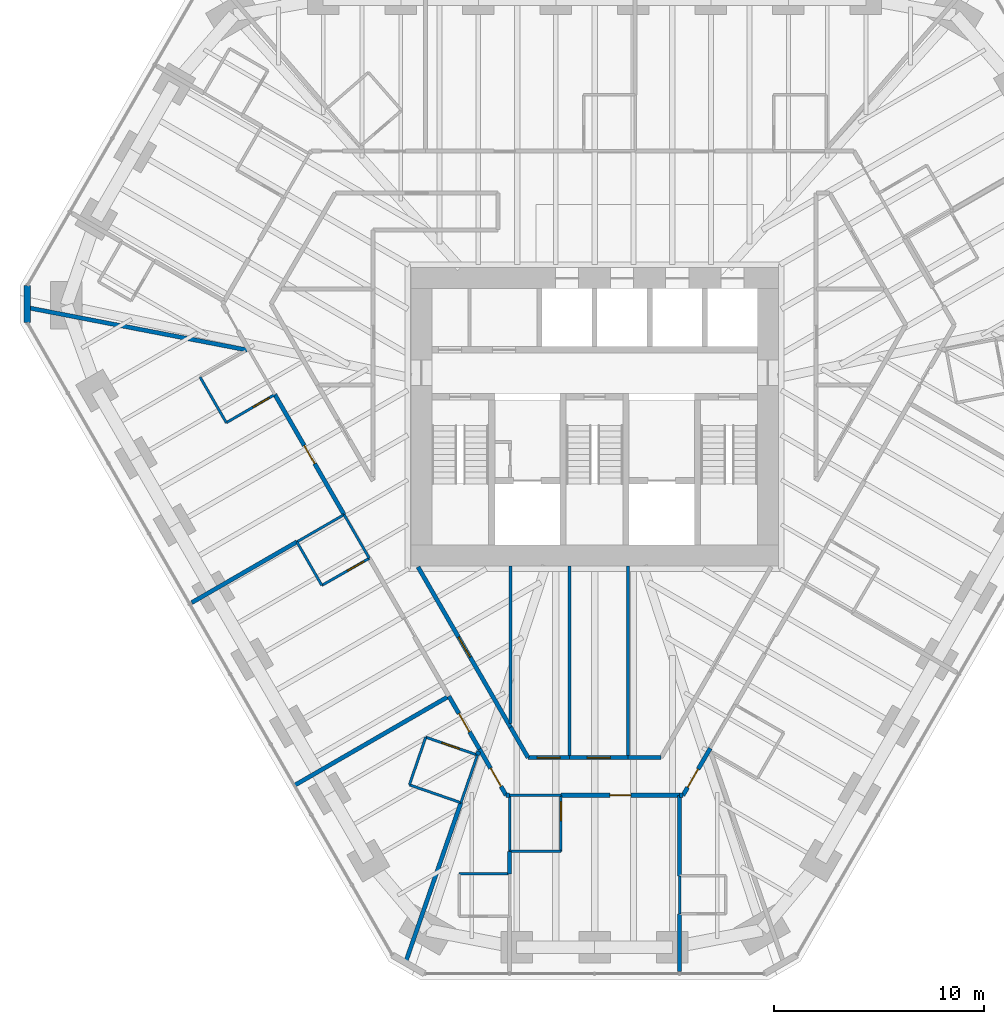
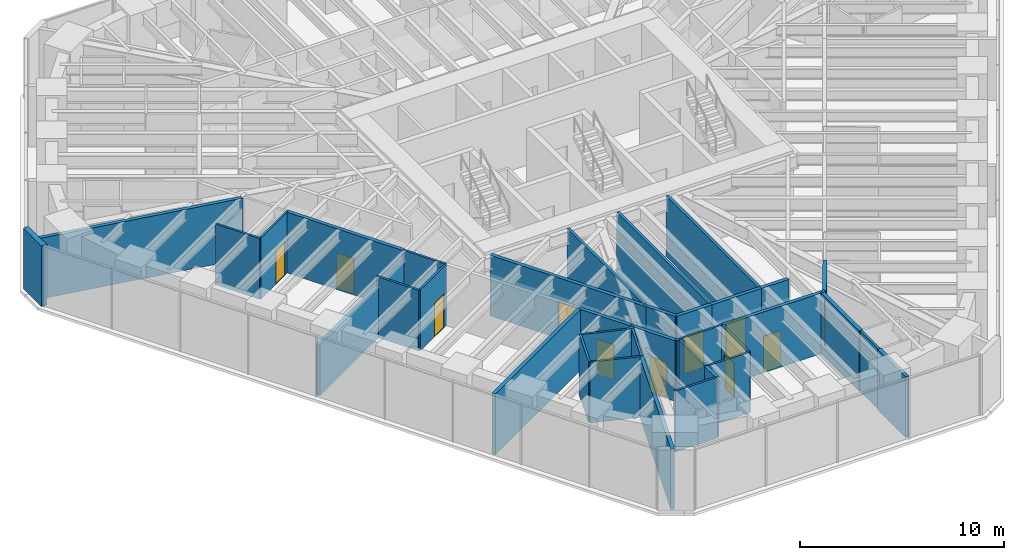
# One storey, part 11 of 16: 40 walls, 12 doors, 12 openings.
"""IFC4 building model written with IfcOpenShell, lengths in metres."""

from ifc_helpers import new_model, si_unit, direction, frame, frame_2d, origin, place, context, subcontext, project, spatial, rectangle, extrude, material, layer, layer_set, type_object, element, fill, save


model = new_model("IFC4")

# Units and contexts
model_context = context("Model", 3, precision=1e-05, world=origin(), true_north=direction((0.0, 1.0)))
body_context = subcontext(model_context, "Body", "Model", "MODEL_VIEW")
ifc_project = project(units=[si_unit("LENGTHUNIT", "METRE"), si_unit("AREAUNIT", "SQUARE_METRE"), si_unit("VOLUMEUNIT", "CUBIC_METRE"), si_unit("PLANEANGLEUNIT", "RADIAN"), si_unit("MASSUNIT", "GRAM", prefix="KILO")], contexts=[model_context])

# Site, building, storey
site_placement = place(None, origin())
site = spatial("IfcSite", under=ifc_project, at=site_placement, CompositionType="ELEMENT")
building_placement = place(site_placement, origin())
building = spatial("IfcBuilding", under=site, at=building_placement, Name="Sandreach Pilgrim Tower", CompositionType="ELEMENT")
storey_placement = place(building_placement, frame((0.0, 0.0, 206.0)))
storey = spatial("IfcBuildingStorey", under=building, at=storey_placement, Name="L51", CompositionType="ELEMENT", Elevation=206.0)

# Walls
ifc_material_1 = material(Name="Gypsum board on steel studs", Category="steel")
ifc_layer_1 = layer(ifc_material_1, 0.14990234375)
ifc_layer_set_1 = layer_set([ifc_layer_1], Name="Back of house wall 150")
wall_type_1 = type_object("IfcWallType", Name="Back of house wall 150", PredefinedType="PARTITIONING", material=ifc_layer_set_1)
wall_1_placement = place(storey_placement, frame((-4.0, -7.10009765625, 0.0), z_axis=(0.0, 0.0, 1.0), x_axis=(0.0, -1.0, 0.0)))
element("IfcWall", 1, at=wall_1_placement, inside=storey, type_object=wall_type_1, Name="Back of house wall L51-074", PredefinedType="PARTITIONING", context=body_context, shape_type="SweptSolid", body=[
    extrude(rectangle(XDim=7.514892578125, YDim=0.14990234375, at=frame_2d((3.75732421875, 0.0))), origin(), (0.0, 0.0, 1.0), 3.639892578125),
])
for number, where, z_axis, x_axis, name in (
    (2, (-1.199951171875, -7.10009765625, 0.0), (0.0, 0.0, 1.0), (0.0, -1.0, 0.0), "Back of house wall L51-079"),
    (3, (1.60009765625, -7.10009765625, 0.0), (0.0, 0.0, 1.0), (0.0, -1.0, 0.0), "Back of house wall L51-083"),
):
    element("IfcWall", number, at=place(storey_placement, frame(where, z_axis=z_axis, x_axis=x_axis)), inside=storey, type_object=wall_type_1, Name=name, PredefinedType="PARTITIONING", context=body_context, shape_type="SweptSolid", body=[
        extrude(rectangle(XDim=9.1298828125, YDim=0.14990234375, at=frame_2d((4.56494140625, 0.0))), origin(), (0.0, 0.0, 1.0), 3.639892578125),
    ])
ifc_material_2 = material(Name="Moisture-resistant gypsum board on steel studs", Category="steel")
ifc_layer_2 = layer(ifc_material_2, 0.1201171875)
ifc_layer_set_2 = layer_set([ifc_layer_2], Name="Bathroom partition 120")
wall_type_2 = type_object("IfcWallType", Name="Bathroom partition 120", PredefinedType="PARTITIONING", material=ifc_layer_set_2)
wall_2_placement = place(storey_placement, frame((-18.7900390625, 1.889892578125, 0.0), z_axis=(0.0, 0.0, 1.0), x_axis=(0.499159685399, -0.866510016372, 0.0)))
element("IfcWall", 4, at=wall_2_placement, inside=storey, type_object=wall_type_2, Name="Bathroom partition L51-010", PredefinedType="PARTITIONING", context=body_context, shape_type="SweptSolid", body=[
    extrude(rectangle(XDim=2.504150390625, YDim=0.1201171875, at=frame_2d((1.251953125, 0.0))), origin(), (0.0, 0.0, 1.0), 3.639892578125),
])

# Wall, opening, door
wall_3_placement = place(storey_placement, frame((-17.5400390625, -0.280029296875, 0.0), z_axis=(0.0, 0.0, 1.0), x_axis=(0.86498992408, 0.501789229896, 0.0)))
wall_3 = element("IfcWall", 5, at=wall_3_placement, inside=storey, type_object=wall_type_2, Name="Bathroom partition L51-015", PredefinedType="PARTITIONING", context=body_context, shape_type="SweptSolid", body=[
    extrude(rectangle(XDim=2.670654296875, YDim=0.1201171875, at=frame_2d((1.33544921875, 0.0))), origin(), (0.0, 0.0, 1.0), 3.639892578125),
])
opening_1_placement = place(wall_3_placement, frame((1.470458984375, 0.0, 0.0)))
opening_1 = element("IfcOpeningElement", 6, at=opening_1_placement, cuts=wall_3, Name="Opening D09-14B", PredefinedType="OPENING", context=body_context, shape_type="SweptSolid", body=[
    extrude(rectangle(XDim=0.89990234375, YDim=2.030029296875, at=frame_2d((0.449951171875, 1.01513671875))), frame((0.0, 0.06005859375, 0.0), z_axis=(0.0, -1.0, 0.0), x_axis=(1.0, 0.0, 0.0)), (0.0, 0.0, 1.0), 0.1201171875),
])
ifc_material_3 = material(Name="Timber door, steel frame", Category="steel")
door_type_1 = type_object("IfcDoorType", Name="Bathroom door", OperationType="SINGLE_SWING_LEFT", PredefinedType="DOOR", material=ifc_material_3)
door_1_placement = place(opening_1_placement, origin())
door_1 = element("IfcDoor", 7, at=door_1_placement, inside=storey, type_object=door_type_1, Name="Door 5114B", OperationType="SINGLE_SWING_RIGHT", OverallHeight=2.030029296875, OverallWidth=0.89990234375, PredefinedType="DOOR", context=body_context, shape_type="SweptSolid", body=[
    extrude(rectangle(XDim=0.89990234375, YDim=2.030029296875, at=frame_2d((0.449951171875, 1.01513671875))), frame((0.0, 0.02490234375, 0.0), z_axis=(0.0, -1.0, 0.0), x_axis=(1.0, 0.0, 0.0)), (0.0, 0.0, 1.0), 0.050048828125),
])
fill(opening_1, door_1)

# Walls
wall_4_placement = place(storey_placement, frame((-14.179931640625, -5.9599609375, 0.0), z_axis=(0.0, 0.0, 1.0), x_axis=(0.49836161924, -0.866969259241, 0.0)))
element("IfcWall", 8, at=wall_4_placement, inside=storey, type_object=wall_type_2, Name="Bathroom partition L51-032", PredefinedType="PARTITIONING", context=body_context, shape_type="SweptSolid", body=[
    extrude(rectangle(XDim=2.3876953125, YDim=0.1201171875, at=frame_2d((1.19384765625, 0.0))), origin(), (0.0, 0.0, 1.0), 3.639892578125),
])
wall_5_placement = place(storey_placement, frame((-14.179931640625, -5.9599609375, 0.0), z_axis=(0.0, 0.0, 1.0), x_axis=(0.865856933682, 0.500291685314, 0.0)))
element("IfcWall", 9, at=wall_5_placement, inside=storey, type_object=wall_type_2, Name="Bathroom partition L51-033", PredefinedType="PARTITIONING", context=body_context, shape_type="SweptSolid", body=[
    extrude(rectangle(XDim=2.5986328125, YDim=0.1201171875, at=frame_2d((1.29931640625, 0.0))), origin(), (0.0, 0.0, 1.0), 3.0380859375),
])

# Wall, opening, door
wall_6_placement = place(storey_placement, frame((-12.989990234375, -8.030029296875, 0.0), z_axis=(0.0, 0.0, 1.0), x_axis=(0.868473984885, 0.49573474518, 0.0)))
wall_6 = element("IfcWall", 10, at=wall_6_placement, inside=storey, type_object=wall_type_2, Name="Bathroom partition L51-036", PredefinedType="PARTITIONING", context=body_context, shape_type="SweptSolid", body=[
    extrude(rectangle(XDim=2.602294921875, YDim=0.1201171875, at=frame_2d((1.30126953125, 0.0))), origin(), (0.0, 0.0, 1.0), 3.639892578125),
])
opening_2_placement = place(wall_6_placement, frame((1.402099609375, 0.0, 0.0)))
opening_2 = element("IfcOpeningElement", 11, at=opening_2_placement, cuts=wall_6, Name="Opening D09-13B", PredefinedType="OPENING", context=body_context, shape_type="SweptSolid", body=[
    extrude(rectangle(XDim=0.89990234375, YDim=2.030029296875, at=frame_2d((0.449951171875, 1.01513671875))), frame((0.0, 0.06005859375, 0.0), z_axis=(0.0, -1.0, 0.0), x_axis=(1.0, 0.0, 0.0)), (0.0, 0.0, 1.0), 0.1201171875),
])
door_2_placement = place(opening_2_placement, origin())
door_2 = element("IfcDoor", 12, at=door_2_placement, inside=storey, type_object=door_type_1, Name="Door 5113B", OperationType="SINGLE_SWING_RIGHT", OverallHeight=2.030029296875, OverallWidth=0.89990234375, PredefinedType="DOOR", context=body_context, shape_type="SweptSolid", body=[
    extrude(rectangle(XDim=0.89990234375, YDim=2.030029296875, at=frame_2d((0.449951171875, 1.01513671875))), frame((0.0, 0.02490234375, 0.0), z_axis=(0.0, -1.0, 0.0), x_axis=(1.0, 0.0, 0.0)), (0.0, 0.0, 1.0), 0.050048828125),
])
fill(opening_2, door_2)

# Walls
wall_7_placement = place(storey_placement, frame((-11.929931640625, -4.659912109375, 0.0), z_axis=(0.0, 0.0, 1.0), x_axis=(0.499693115345, -0.866202511239, 0.0)))
element("IfcWall", 13, at=wall_7_placement, inside=storey, type_object=wall_type_2, Name="Bathroom partition L51-039", PredefinedType="PARTITIONING", context=body_context, shape_type="SweptSolid", body=[
    extrude(rectangle(XDim=2.4013671875, YDim=0.1201171875, at=frame_2d((1.20068359375, 0.0))), origin(), (0.0, 0.0, 1.0), 3.639892578125),
])
wall_8_placement = place(storey_placement, frame((-8.820068359375, -17.530029296875, 0.0), z_axis=(0.0, 0.0, 1.0), x_axis=(0.944753042377, -0.327782990589, 0.0)))
element("IfcWall", 14, at=wall_8_placement, inside=storey, type_object=wall_type_2, Name="Bathroom partition L51-052", PredefinedType="PARTITIONING", context=body_context, shape_type="SweptSolid", body=[
    extrude(rectangle(XDim=2.593505859375, YDim=0.1201171875, at=frame_2d((1.296875, 0.0))), origin(), (0.0, 0.0, 1.0), 3.639892578125),
])
wall_9_placement = place(storey_placement, frame((-8.0400390625, -15.260009765625, 0.0), z_axis=(0.0, 0.0, 1.0), x_axis=(-0.324971746724, -0.945723724896, 0.0)))
element("IfcWall", 15, at=wall_9_placement, inside=storey, type_object=wall_type_2, Name="Bathroom partition L51-055", PredefinedType="PARTITIONING", context=body_context, shape_type="SweptSolid", body=[
    extrude(rectangle(XDim=2.400390625, YDim=0.1201171875, at=frame_2d((1.2001953125, 0.0))), origin(), (0.0, 0.0, 1.0), 3.639892578125),
])
wall_10_placement = place(storey_placement, frame((-6.36474609375, -18.3818359375, 0.0), z_axis=(0.0, 0.0, 1.0), x_axis=(0.327571022417, 0.944826558302, 0.0)))
element("IfcWall", 16, at=wall_10_placement, inside=storey, type_object=wall_type_2, Name="Bathroom partition L51-059", PredefinedType="PARTITIONING", context=body_context, shape_type="SweptSolid", body=[
    extrude(rectangle(XDim=2.403564453125, YDim=0.1201171875, at=frame_2d((1.20166015625, 0.0))), origin(), (0.0, 0.0, 1.0), 3.639892578125),
])

# Wall, opening, door
wall_11_placement = place(storey_placement, frame((-5.580078125, -16.110107421875, 0.0), z_axis=(0.0, 0.0, 1.0), x_axis=(-0.94515546045, 0.326620813149, 0.0)))
wall_11 = element("IfcWall", 17, at=wall_11_placement, inside=storey, type_object=wall_type_2, Name="Bathroom partition L51-060", PredefinedType="PARTITIONING", context=body_context, shape_type="SweptSolid", body=[
    extrude(rectangle(XDim=2.602783203125, YDim=0.1201171875, at=frame_2d((1.30126953125, 0.0))), origin(), (0.0, 0.0, 1.0), 3.639892578125),
])
opening_3_placement = place(wall_11_placement, frame((0.89990234375, 0.0, 0.0)))
opening_3 = element("IfcOpeningElement", 18, at=opening_3_placement, cuts=wall_11, Name="Opening D09-12B", PredefinedType="OPENING", context=body_context, shape_type="SweptSolid", body=[
    extrude(rectangle(XDim=0.89990234375, YDim=2.030029296875, at=frame_2d((0.449951171875, 1.01513671875))), frame((0.0, 0.06005859375, 0.0), z_axis=(0.0, -1.0, 0.0), x_axis=(1.0, 0.0, 0.0)), (0.0, 0.0, 1.0), 0.1201171875),
])
door_3_placement = place(opening_3_placement, origin())
door_3 = element("IfcDoor", 19, at=door_3_placement, inside=storey, type_object=door_type_1, Name="Door 5112B", OperationType="SINGLE_SWING_RIGHT", OverallHeight=2.030029296875, OverallWidth=0.89990234375, PredefinedType="DOOR", context=body_context, shape_type="SweptSolid", body=[
    extrude(rectangle(XDim=0.89990234375, YDim=2.030029296875, at=frame_2d((0.449951171875, 1.01513671875))), frame((0.0, 0.02490234375, 0.0), z_axis=(0.0, -1.0, 0.0), x_axis=(1.0, 0.0, 0.0)), (0.0, 0.0, 1.0), 0.050048828125),
])
fill(opening_3, door_3)

# Walls
wall_12_placement = place(storey_placement, frame((-4.050048828125, -21.77001953125, 0.0), z_axis=(0.0, 0.0, 1.0), x_axis=(-1.0, 0.0, 0.0)))
element("IfcWall", 20, at=wall_12_placement, inside=storey, type_object=wall_type_2, Name="Bathroom partition L51-068", PredefinedType="PARTITIONING", context=body_context, shape_type="SweptSolid", body=[
    extrude(rectangle(XDim=2.39990234375, YDim=0.1201171875, at=frame_2d((1.199951171875, 0.0))), origin(), (0.0, 0.0, 1.0), 3.639892578125),
])
wall_13_placement = place(storey_placement, frame((-4.050048828125, -20.699951171875, 0.0), z_axis=(0.0, 0.0, 1.0), x_axis=(0.0, 1.0, 0.0)))
element("IfcWall", 21, at=wall_13_placement, inside=storey, type_object=wall_type_2, Name="Bathroom partition L51-070", PredefinedType="PARTITIONING", context=body_context, shape_type="SweptSolid", body=[
    extrude(rectangle(XDim=2.669921875, YDim=0.1201171875, at=frame_2d((1.3349609375, 0.0))), origin(), (0.0, 0.0, 1.0), 3.639892578125),
])
for number, where, z_axis, x_axis, name in (
    (22, (-4.050048828125, -20.699951171875, 0.0), (0.0, 0.0, 1.0), (1.0, 0.0, 0.0), "Bathroom partition L51-071"),
    (23, (-4.050048828125, -18.030029296875, 0.0), (0.0, 0.0, 1.0), (1.0, 0.0, 0.0), "Bathroom partition L51-072"),
):
    element("IfcWall", number, at=place(storey_placement, frame(where, z_axis=z_axis, x_axis=x_axis)), inside=storey, type_object=wall_type_2, Name=name, PredefinedType="PARTITIONING", context=body_context, shape_type="SweptSolid", body=[
        extrude(rectangle(XDim=2.449951171875, YDim=0.1201171875, at=frame_2d((1.22509765625, 0.0))), origin(), (0.0, 0.0, 1.0), 3.639892578125),
    ])

# Wall, opening, door
wall_14_placement = place(storey_placement, frame((-1.60009765625, -20.699951171875, 0.0), z_axis=(0.0, 0.0, 1.0), x_axis=(0.0, 1.0, 0.0)))
wall_14 = element("IfcWall", 24, at=wall_14_placement, inside=storey, type_object=wall_type_2, Name="Bathroom partition L51-076", PredefinedType="PARTITIONING", context=body_context, shape_type="SweptSolid", body=[
    extrude(rectangle(XDim=2.669921875, YDim=0.1201171875, at=frame_2d((1.3349609375, 0.0))), origin(), (0.0, 0.0, 1.0), 3.639892578125),
])
opening_4_placement = place(wall_14_placement, frame((1.469970703125, 0.0, 0.0)))
opening_4 = element("IfcOpeningElement", 25, at=opening_4_placement, cuts=wall_14, Name="Opening D09-10B", PredefinedType="OPENING", context=body_context, shape_type="SweptSolid", body=[
    extrude(rectangle(XDim=0.89990234375, YDim=2.030029296875, at=frame_2d((0.449951171875, 1.01513671875))), frame((0.0, 0.06005859375, 0.0), z_axis=(0.0, -1.0, 0.0), x_axis=(1.0, 0.0, 0.0)), (0.0, 0.0, 1.0), 0.1201171875),
])
door_4_placement = place(opening_4_placement, origin())
door_4 = element("IfcDoor", 26, at=door_4_placement, inside=storey, type_object=door_type_1, Name="Door 5110B", OperationType="SINGLE_SWING_RIGHT", OverallHeight=2.030029296875, OverallWidth=0.89990234375, PredefinedType="DOOR", context=body_context, shape_type="SweptSolid", body=[
    extrude(rectangle(XDim=0.89990234375, YDim=2.030029296875, at=frame_2d((0.449951171875, 1.01513671875))), frame((0.0, 0.02490234375, 0.0), z_axis=(0.0, -1.0, 0.0), x_axis=(1.0, 0.0, 0.0)), (0.0, 0.0, 1.0), 0.050048828125),
])
fill(opening_4, door_4)

# Wall
wall_15_placement = place(storey_placement, frame((4.050048828125, -23.679931640625, 0.0), z_axis=(0.0, 0.0, 1.0), x_axis=(0.0, 1.0, 0.0)))
element("IfcWall", 27, at=wall_15_placement, inside=storey, type_object=wall_type_2, Name="Bathroom partition L51-090", PredefinedType="PARTITIONING", context=body_context, shape_type="SweptSolid", body=[
    extrude(rectangle(XDim=1.809814453125, YDim=0.1201171875, at=frame_2d((0.90478515625, 0.0))), origin(), (0.0, 0.0, 1.0), 3.639892578125),
])

# Wall, opening, door
ifc_material_4 = material(Name="Gypsum board on steel studs, two layers each side", Category="steel")
ifc_layer_3 = layer(ifc_material_4, 0.199951171875)
ifc_layer_set_3 = layer_set([ifc_layer_3], Name="Corridor wall 200")
wall_type_3 = type_object("IfcWallType", Name="Corridor wall 200", PredefinedType="PARTITIONING", material=ifc_layer_set_3)
wall_16_placement = place(storey_placement, frame((-15.22998046875, 1.06005859375, 0.0), z_axis=(0.0, 0.0, 1.0), x_axis=(0.499729921425, -0.866181277581, 0.0)))
wall_16 = element("IfcWall", 28, at=wall_16_placement, inside=storey, type_object=wall_type_3, Name="Corridor wall L51-027", PredefinedType="PARTITIONING", context=body_context, shape_type="SweptSolid", body=[
    extrude(rectangle(XDim=6.603759765625, YDim=0.199951171875, at=frame_2d((3.3017578125, 0.0))), origin(), (0.0, 0.0, 1.0), 3.639892578125),
])
opening_5_placement = place(wall_16_placement, frame((2.8017578125, 0.0, 0.0)))
opening_5 = element("IfcOpeningElement", 29, at=opening_5_placement, cuts=wall_16, Name="Opening D10-14", PredefinedType="OPENING", context=body_context, shape_type="SweptSolid", body=[
    extrude(rectangle(XDim=1.0, YDim=2.1298828125, at=frame_2d((0.5, 1.06494140625))), frame((0.0, 0.10009765625, 0.0), z_axis=(0.0, -1.0, 0.0), x_axis=(1.0, 0.0, 0.0)), (0.0, 0.0, 1.0), 0.199951171875),
])
ifc_material_5 = material(Name="Steel door and frame", Category="steel")
door_type_2 = type_object("IfcDoorType", Name="Guest room entry door", OperationType="SINGLE_SWING_LEFT", PredefinedType="DOOR", material=ifc_material_5)
door_5_placement = place(opening_5_placement, origin())
door_5 = element("IfcDoor", 30, at=door_5_placement, inside=storey, type_object=door_type_2, Name="Door 5114", OperationType="SINGLE_SWING_LEFT", OverallHeight=2.1298828125, OverallWidth=1.0, PredefinedType="DOOR", context=body_context, shape_type="SweptSolid", body=[
    extrude(rectangle(XDim=1.0, YDim=2.1298828125, at=frame_2d((0.5, 1.06494140625))), frame((0.0, 0.02490234375, 0.0), z_axis=(0.0, -1.0, 0.0), x_axis=(1.0, 0.0, 0.0)), (0.0, 0.0, 1.0), 0.050048828125),
])
fill(opening_5, door_5)

wall_17_placement = place(storey_placement, frame((-6.93994140625, -13.31005859375, 0.0), z_axis=(0.0, 0.0, 1.0), x_axis=(0.501293994647, -0.865277025542, 0.0)))
wall_17 = element("IfcWall", 31, at=wall_17_placement, inside=storey, type_object=wall_type_3, Name="Corridor wall L51-056", PredefinedType="PARTITIONING", context=body_context, shape_type="SweptSolid", body=[
    extrude(rectangle(XDim=2.912353515625, YDim=0.199951171875, at=frame_2d((1.4560546875, 0.0))), origin(), (0.0, 0.0, 1.0), 3.639892578125),
])
opening_6_placement = place(wall_17_placement, frame((0.956298828125, 0.0, 0.0)))
opening_6 = element("IfcOpeningElement", 32, at=opening_6_placement, cuts=wall_17, Name="Opening D10-12", PredefinedType="OPENING", context=body_context, shape_type="SweptSolid", body=[
    extrude(rectangle(XDim=1.0, YDim=2.1298828125, at=frame_2d((0.5, 1.06494140625))), frame((0.0, 0.10009765625, 0.0), z_axis=(0.0, -1.0, 0.0), x_axis=(1.0, 0.0, 0.0)), (0.0, 0.0, 1.0), 0.199951171875),
])
door_6_placement = place(opening_6_placement, origin())
door_6 = element("IfcDoor", 33, at=door_6_placement, inside=storey, type_object=door_type_2, Name="Door 5112", OperationType="SINGLE_SWING_LEFT", OverallHeight=2.1298828125, OverallWidth=1.0, PredefinedType="DOOR", context=body_context, shape_type="SweptSolid", body=[
    extrude(rectangle(XDim=1.0, YDim=2.1298828125, at=frame_2d((0.5, 1.06494140625))), frame((0.0, 0.02490234375, 0.0), z_axis=(0.0, -1.0, 0.0), x_axis=(1.0, 0.0, 0.0)), (0.0, 0.0, 1.0), 0.050048828125),
])
fill(opening_6, door_6)

wall_18_placement = place(storey_placement, frame((-5.47998046875, -15.830078125, 0.0), z_axis=(0.0, 0.0, 1.0), x_axis=(0.499963722229, -0.866046347752, 0.0)))
wall_18 = element("IfcWall", 34, at=wall_18_placement, inside=storey, type_object=wall_type_3, Name="Corridor wall L51-062", PredefinedType="PARTITIONING", context=body_context, shape_type="SweptSolid", body=[
    extrude(rectangle(XDim=2.540283203125, YDim=0.199951171875, at=frame_2d((1.27001953125, 0.0))), origin(), (0.0, 0.0, 1.0), 3.639892578125),
])
opening_7_placement = place(wall_18_placement, frame((1.050048828125, 0.0, 0.0)))
opening_7 = element("IfcOpeningElement", 35, at=opening_7_placement, cuts=wall_18, Name="Opening D10-11", PredefinedType="OPENING", context=body_context, shape_type="SweptSolid", body=[
    extrude(rectangle(XDim=1.0, YDim=2.1298828125, at=frame_2d((0.5, 1.06494140625))), frame((0.0, 0.10009765625, 0.0), z_axis=(0.0, -1.0, 0.0), x_axis=(1.0, 0.0, 0.0)), (0.0, 0.0, 1.0), 0.199951171875),
])
door_7_placement = place(opening_7_placement, origin())
door_7 = element("IfcDoor", 36, at=door_7_placement, inside=storey, type_object=door_type_2, Name="Door 5111", OperationType="SINGLE_SWING_RIGHT", OverallHeight=2.1298828125, OverallWidth=1.0, PredefinedType="DOOR", context=body_context, shape_type="SweptSolid", body=[
    extrude(rectangle(XDim=1.0, YDim=2.1298828125, at=frame_2d((0.5, 1.06494140625))), frame((0.0, 0.02490234375, 0.0), z_axis=(0.0, -1.0, 0.0), x_axis=(1.0, 0.0, 0.0)), (0.0, 0.0, 1.0), 0.050048828125),
])
fill(opening_7, door_7)

# Wall
wall_19_placement = place(storey_placement, frame((-4.2099609375, -18.030029296875, 0.0), z_axis=(0.0, 0.0, 1.0), x_axis=(1.0, 0.0, 0.0)))
element("IfcWall", 37, at=wall_19_placement, inside=storey, type_object=wall_type_3, Name="Corridor wall L51-065", PredefinedType="PARTITIONING", context=body_context, shape_type="SweptSolid", body=[
    extrude(rectangle(XDim=0.159912109375, YDim=0.199951171875, at=frame_2d((0.080078125, 0.0))), origin(), (0.0, 0.0, 1.0), 3.639892578125),
])

# Wall, opening, door
wall_20_placement = place(storey_placement, frame((-4.0, -14.7900390625, 0.0), z_axis=(0.0, 0.0, 1.0), x_axis=(-0.499916512745, 0.866073599808, 0.0)))
wall_20 = element("IfcWall", 38, at=wall_20_placement, inside=storey, type_object=wall_type_3, Name="Corridor wall L51-073", PredefinedType="PARTITIONING", context=body_context, shape_type="SweptSolid", body=[
    extrude(rectangle(XDim=8.8212890625, YDim=0.199951171875, at=frame_2d((4.41064453125, 0.0))), origin(), (0.0, 0.0, 1.0), 3.639892578125),
])
opening_8_placement = place(wall_20_placement, frame((3.860595703125, 0.0, 0.0)))
opening_8 = element("IfcOpeningElement", 39, at=opening_8_placement, cuts=wall_20, Name="Opening D11H-S1", PredefinedType="OPENING", context=body_context, shape_type="SweptSolid", body=[
    extrude(rectangle(XDim=1.10009765625, YDim=2.199951171875, at=frame_2d((0.550048828125, 1.10009765625))), frame((0.0, 0.10009765625, 0.0), z_axis=(0.0, -1.0, 0.0), x_axis=(1.0, 0.0, 0.0)), (0.0, 0.0, 1.0), 0.199951171875),
])
ifc_material_6 = material(Name="Steel door and frame", Category="steel")
door_type_3 = type_object("IfcDoorType", Name="Back of house door", OperationType="SINGLE_SWING_LEFT", PredefinedType="DOOR", material=ifc_material_6)
door_8_placement = place(opening_8_placement, origin())
door_8 = element("IfcDoor", 40, at=door_8_placement, inside=storey, type_object=door_type_3, Name="Door 51S1", OperationType="SINGLE_SWING_LEFT", OverallHeight=2.199951171875, OverallWidth=1.10009765625, PredefinedType="DOOR", context=body_context, shape_type="SweptSolid", body=[
    extrude(rectangle(XDim=1.10009765625, YDim=2.199951171875, at=frame_2d((0.550048828125, 1.10009765625))), frame((0.0, 0.02490234375, 0.0), z_axis=(0.0, -1.0, 0.0), x_axis=(1.0, 0.0, 0.0)), (0.0, 0.0, 1.0), 0.050048828125),
])
fill(opening_8, door_8)

# Wall
wall_21_placement = place(storey_placement, frame((-3.169921875, -16.22998046875, 0.0), z_axis=(0.0, 0.0, 1.0), x_axis=(-0.499425709803, 0.866356716594, 0.0)))
element("IfcWall", 41, at=wall_21_placement, inside=storey, type_object=wall_type_3, Name="Corridor wall L51-075", PredefinedType="PARTITIONING", context=body_context, shape_type="SweptSolid", body=[
    extrude(rectangle(XDim=1.662109375, YDim=0.199951171875, at=frame_2d((0.8310546875, 0.0))), origin(), (0.0, 0.0, 1.0), 3.639892578125),
])

# Wall, opening, door
wall_22_placement = place(storey_placement, frame((-1.60009765625, -18.030029296875, 0.0), z_axis=(0.0, 0.0, 1.0), x_axis=(1.0, 0.0, 0.0)))
wall_22 = element("IfcWall", 42, at=wall_22_placement, inside=storey, type_object=wall_type_3, Name="Corridor wall L51-077", PredefinedType="PARTITIONING", context=body_context, shape_type="SweptSolid", body=[
    extrude(rectangle(XDim=5.650146484375, YDim=0.199951171875, at=frame_2d((2.8251953125, 0.0))), origin(), (0.0, 0.0, 1.0), 3.639892578125),
])
opening_9_placement = place(wall_22_placement, frame((2.324951171875, 0.0, 0.0)))
opening_9 = element("IfcOpeningElement", 43, at=opening_9_placement, cuts=wall_22, Name="Opening D10-10", PredefinedType="OPENING", context=body_context, shape_type="SweptSolid", body=[
    extrude(rectangle(XDim=1.0, YDim=2.1298828125, at=frame_2d((0.5, 1.06494140625))), frame((0.0, 0.10009765625, 0.0), z_axis=(0.0, -1.0, 0.0), x_axis=(1.0, 0.0, 0.0)), (0.0, 0.0, 1.0), 0.199951171875),
])
door_9_placement = place(opening_9_placement, origin())
door_9 = element("IfcDoor", 44, at=door_9_placement, inside=storey, type_object=door_type_2, Name="Door 5110", OperationType="SINGLE_SWING_LEFT", OverallHeight=2.1298828125, OverallWidth=1.0, PredefinedType="DOOR", context=body_context, shape_type="SweptSolid", body=[
    extrude(rectangle(XDim=1.0, YDim=2.1298828125, at=frame_2d((0.5, 1.06494140625))), frame((0.0, 0.02490234375, 0.0), z_axis=(0.0, -1.0, 0.0), x_axis=(1.0, 0.0, 0.0)), (0.0, 0.0, 1.0), 0.050048828125),
])
fill(opening_9, door_9)

wall_23_placement = place(storey_placement, frame((-1.199951171875, -16.22998046875, 0.0), z_axis=(0.0, 0.0, 1.0), x_axis=(-1.0, 0.0, 0.0)))
wall_23 = element("IfcWall", 45, at=wall_23_placement, inside=storey, type_object=wall_type_3, Name="Corridor wall L51-078", PredefinedType="PARTITIONING", context=body_context, shape_type="SweptSolid", body=[
    extrude(rectangle(XDim=1.969970703125, YDim=0.199951171875, at=frame_2d((0.98486328125, 0.0))), origin(), (0.0, 0.0, 1.0), 3.639892578125),
])
opening_10_placement = place(wall_23_placement, frame((0.43505859375, 0.0, 0.0)))
opening_10 = element("IfcOpeningElement", 46, at=opening_10_placement, cuts=wall_23, Name="Opening D11H-S2", PredefinedType="OPENING", context=body_context, shape_type="SweptSolid", body=[
    extrude(rectangle(XDim=1.10009765625, YDim=2.199951171875, at=frame_2d((0.550048828125, 1.10009765625))), frame((0.0, 0.10009765625, 0.0), z_axis=(0.0, -1.0, 0.0), x_axis=(1.0, 0.0, 0.0)), (0.0, 0.0, 1.0), 0.199951171875),
])
door_10_placement = place(opening_10_placement, origin())
door_10 = element("IfcDoor", 47, at=door_10_placement, inside=storey, type_object=door_type_3, Name="Door 51S2", OperationType="SINGLE_SWING_LEFT", OverallHeight=2.199951171875, OverallWidth=1.10009765625, PredefinedType="DOOR", context=body_context, shape_type="SweptSolid", body=[
    extrude(rectangle(XDim=1.10009765625, YDim=2.199951171875, at=frame_2d((0.550048828125, 1.10009765625))), frame((0.0, 0.02490234375, 0.0), z_axis=(0.0, -1.0, 0.0), x_axis=(1.0, 0.0, 0.0)), (0.0, 0.0, 1.0), 0.050048828125),
])
fill(opening_10, door_10)

wall_24_placement = place(storey_placement, frame((1.60009765625, -16.22998046875, 0.0), z_axis=(0.0, 0.0, 1.0), x_axis=(-1.0, 0.0, 0.0)))
wall_24 = element("IfcWall", 48, at=wall_24_placement, inside=storey, type_object=wall_type_3, Name="Corridor wall L51-082", PredefinedType="PARTITIONING", context=body_context, shape_type="SweptSolid", body=[
    extrude(rectangle(XDim=2.800048828125, YDim=0.199951171875, at=frame_2d((1.39990234375, 0.0))), origin(), (0.0, 0.0, 1.0), 3.639892578125),
])
opening_11_placement = place(wall_24_placement, frame((0.85009765625, 0.0, 0.0)))
opening_11 = element("IfcOpeningElement", 49, at=opening_11_placement, cuts=wall_24, Name="Opening D11H-S3", PredefinedType="OPENING", context=body_context, shape_type="SweptSolid", body=[
    extrude(rectangle(XDim=1.10009765625, YDim=2.199951171875, at=frame_2d((0.550048828125, 1.10009765625))), frame((0.0, 0.10009765625, 0.0), z_axis=(0.0, -1.0, 0.0), x_axis=(1.0, 0.0, 0.0)), (0.0, 0.0, 1.0), 0.199951171875),
])
door_11_placement = place(opening_11_placement, origin())
door_11 = element("IfcDoor", 50, at=door_11_placement, inside=storey, type_object=door_type_3, Name="Door 51S3", OperationType="SINGLE_SWING_LEFT", OverallHeight=2.199951171875, OverallWidth=1.10009765625, PredefinedType="DOOR", context=body_context, shape_type="SweptSolid", body=[
    extrude(rectangle(XDim=1.10009765625, YDim=2.199951171875, at=frame_2d((0.550048828125, 1.10009765625))), frame((0.0, 0.02490234375, 0.0), z_axis=(0.0, -1.0, 0.0), x_axis=(1.0, 0.0, 0.0)), (0.0, 0.0, 1.0), 0.050048828125),
])
fill(opening_11, door_11)

# Walls
wall_25_placement = place(storey_placement, frame((3.169921875, -16.22998046875, 0.0), z_axis=(0.0, 0.0, 1.0), x_axis=(-1.0, 0.0, 0.0)))
element("IfcWall", 51, at=wall_25_placement, inside=storey, type_object=wall_type_3, Name="Corridor wall L51-088", PredefinedType="PARTITIONING", context=body_context, shape_type="SweptSolid", body=[
    extrude(rectangle(XDim=1.56982421875, YDim=0.199951171875, at=frame_2d((0.784912109375, 0.0))), origin(), (0.0, 0.0, 1.0), 3.639892578125),
])
wall_26_placement = place(storey_placement, frame((4.050048828125, -18.030029296875, 0.0), z_axis=(0.0, 0.0, 1.0), x_axis=(1.0, 0.0, 0.0)))
element("IfcWall", 52, at=wall_26_placement, inside=storey, type_object=wall_type_3, Name="Corridor wall L51-093", PredefinedType="PARTITIONING", context=body_context, shape_type="SweptSolid", body=[
    extrude(rectangle(XDim=0.159912109375, YDim=0.199951171875, at=frame_2d((0.080078125, 0.0))), origin(), (0.0, 0.0, 1.0), 3.639892578125),
])

# Wall, opening, door
wall_27_placement = place(storey_placement, frame((5.510009765625, -15.7900390625, 0.0), z_axis=(0.0, 0.0, 1.0), x_axis=(-0.501964949025, -0.864887963814, 0.0)))
wall_27 = element("IfcWall", 53, at=wall_27_placement, inside=storey, type_object=wall_type_3, Name="Corridor wall L51-094", PredefinedType="PARTITIONING", context=body_context, shape_type="SweptSolid", body=[
    extrude(rectangle(XDim=2.58984375, YDim=0.199951171875, at=frame_2d((1.294921875, 0.0))), origin(), (0.0, 0.0, 1.0), 3.639892578125),
])
opening_12_placement = place(wall_27_placement, frame((1.14990234375, 0.0, 0.0)))
opening_12 = element("IfcOpeningElement", 54, at=opening_12_placement, cuts=wall_27, Name="Opening D10-09", PredefinedType="OPENING", context=body_context, shape_type="SweptSolid", body=[
    extrude(rectangle(XDim=1.0, YDim=2.1298828125, at=frame_2d((0.5, 1.06494140625))), frame((0.0, 0.10009765625, 0.0), z_axis=(0.0, -1.0, 0.0), x_axis=(1.0, 0.0, 0.0)), (0.0, 0.0, 1.0), 0.199951171875),
])
door_12_placement = place(opening_12_placement, origin())
door_12 = element("IfcDoor", 55, at=door_12_placement, inside=storey, type_object=door_type_2, Name="Door 5109", OperationType="SINGLE_SWING_RIGHT", OverallHeight=2.1298828125, OverallWidth=1.0, PredefinedType="DOOR", context=body_context, shape_type="SweptSolid", body=[
    extrude(rectangle(XDim=1.0, YDim=2.1298828125, at=frame_2d((0.5, 1.06494140625))), frame((0.0, 0.02490234375, 0.0), z_axis=(0.0, -1.0, 0.0), x_axis=(1.0, 0.0, 0.0)), (0.0, 0.0, 1.0), 0.050048828125),
])
fill(opening_12, door_12)

# Walls
ifc_material_7 = material(Name="Double steel stud acoustic wall, gypsum board", Category="steel")
ifc_layer_4 = layer(ifc_material_7, 0.199951171875)
ifc_layer_set_4 = layer_set([ifc_layer_4], Name="Party wall 200")
wall_type_4 = type_object("IfcWallType", Name="Party wall 200", PredefinedType="PARTITIONING", material=ifc_layer_set_4)
wall_28_placement = place(storey_placement, frame((-27.04052734375, 5.204345703125, 0.0), z_axis=(0.0, 0.0, 1.0), x_axis=(0.981884490433, -0.18948046719, 0.0)))
element("IfcWall", 56, at=wall_28_placement, inside=storey, type_object=wall_type_4, Name="Party wall L51-001", PredefinedType="PARTITIONING", context=body_context, shape_type="SweptSolid", body=[
    extrude(rectangle(XDim=10.68408203125, YDim=0.199951171875, at=frame_2d((5.342041015625, 0.0))), origin(), (0.0, 0.0, 1.0), 3.639892578125),
])
wall_29_placement = place(storey_placement, frame((-19.18603515625, -8.85009765625, 0.0), z_axis=(0.0, 0.0, 1.0), x_axis=(0.866035778077, 0.499982030767, 0.0)))
element("IfcWall", 57, at=wall_29_placement, inside=storey, type_object=wall_type_4, Name="Party wall L51-009", PredefinedType="PARTITIONING", context=body_context, shape_type="SweptSolid", body=[
    extrude(rectangle(XDim=5.780517578125, YDim=0.199951171875, at=frame_2d((2.89013671875, 0.0))), origin(), (0.0, 0.0, 1.0), 3.0380859375),
])
wall_30_placement = place(storey_placement, frame((-14.27392578125, -17.544921875, 0.0), z_axis=(0.0, 0.0, 1.0), x_axis=(0.865985626634, 0.500068889717, 0.0)))
element("IfcWall", 58, at=wall_30_placement, inside=storey, type_object=wall_type_4, Name="Party wall L51-031", PredefinedType="PARTITIONING", context=body_context, shape_type="SweptSolid", body=[
    extrude(rectangle(XDim=8.458740234375, YDim=0.199951171875, at=frame_2d((4.2294921875, 0.0))), origin(), (0.0, 0.0, 1.0), 3.639892578125),
])
wall_31_placement = place(storey_placement, frame((-9.01025390625, -26.01171875, 0.0), z_axis=(0.0, 0.0, 1.0), x_axis=(0.32759647282, 0.944817734272, 0.0)))
element("IfcWall", 59, at=wall_31_placement, inside=storey, type_object=wall_type_4, Name="Party wall L51-051", PredefinedType="PARTITIONING", context=body_context, shape_type="SweptSolid", body=[
    extrude(rectangle(XDim=8.075439453125, YDim=0.199951171875, at=frame_2d((4.03759765625, 0.0))), origin(), (0.0, 0.0, 1.0), 3.639892578125),
])
wall_32_placement = place(storey_placement, frame((-5.577392578125, -16.11083984375, 0.0), z_axis=(0.0, 0.0, 1.0), x_axis=(0.328260778463, 0.944587138025, 0.0)))
element("IfcWall", 60, at=wall_32_placement, inside=storey, type_object=wall_type_4, Name="Party wall L51-061", PredefinedType="PARTITIONING", context=body_context, shape_type="SweptSolid", body=[
    extrude(rectangle(XDim=0.18212890625, YDim=0.199951171875, at=frame_2d((0.091064453125, 0.0))), origin(), (0.0, 0.0, 1.0), 3.639892578125),
])
wall_33_placement = place(storey_placement, frame((-4.050048828125, -21.77001953125, 0.0), z_axis=(0.0, 0.0, 1.0), x_axis=(0.0, 1.0, 0.0)))
element("IfcWall", 61, at=wall_33_placement, inside=storey, type_object=wall_type_4, Name="Party wall L51-069", PredefinedType="PARTITIONING", context=body_context, shape_type="SweptSolid", body=[
    extrude(rectangle(XDim=1.070068359375, YDim=0.199951171875, at=frame_2d((0.53515625, 0.0))), origin(), (0.0, 0.0, 1.0), 3.639892578125),
])
wall_34_placement = place(storey_placement, frame((4.050048828125, -26.409912109375, 0.0), z_axis=(0.0, 0.0, 1.0), x_axis=(0.0, 1.0, 0.0)))
element("IfcWall", 62, at=wall_34_placement, inside=storey, type_object=wall_type_4, Name="Party wall L51-089", PredefinedType="PARTITIONING", context=body_context, shape_type="SweptSolid", body=[
    extrude(rectangle(XDim=2.72998046875, YDim=0.199951171875, at=frame_2d((1.364990234375, 0.0))), origin(), (0.0, 0.0, 1.0), 3.639892578125),
])
wall_35_placement = place(storey_placement, frame((4.050048828125, -21.8701171875, 0.0), z_axis=(0.0, 0.0, 1.0), x_axis=(0.0, 1.0, 0.0)))
element("IfcWall", 63, at=wall_35_placement, inside=storey, type_object=wall_type_4, Name="Party wall L51-092", PredefinedType="PARTITIONING", context=body_context, shape_type="SweptSolid", body=[
    extrude(rectangle(XDim=3.830078125, YDim=0.199951171875, at=frame_2d((1.9150390625, 0.0))), origin(), (0.0, 0.0, 1.0), 3.639892578125),
])
ifc_material_8 = material(Name="Terracotta rainscreen on concrete", Category="masonry")
ifc_layer_5 = layer(ifc_material_8, 0.300048828125)
ifc_layer_set_5 = layer_set([ifc_layer_5], Name="Terracotta chamfer pier")
wall_type_5 = type_object("IfcWallType", Name="Terracotta chamfer pier", PredefinedType="SOLIDWALL", material=ifc_layer_set_5)
wall_36_placement = place(storey_placement, frame((-27.02001953125, 4.47998046875, 0.0), z_axis=(0.0, 0.0, 1.0), x_axis=(0.0, 1.0, 0.0)))
element("IfcWall", 64, at=wall_36_placement, inside=storey, type_object=wall_type_5, Name="Chamfer pier L51 SW", PredefinedType="SOLIDWALL", context=body_context, shape_type="SweptSolid", body=[
    extrude(rectangle(XDim=1.77001953125, YDim=0.300048828125, at=frame_2d((0.885009765625, 0.0))), origin(), (0.0, 0.0, 1.0), 3.639892578125),
])

save(model, "model.ifc")
